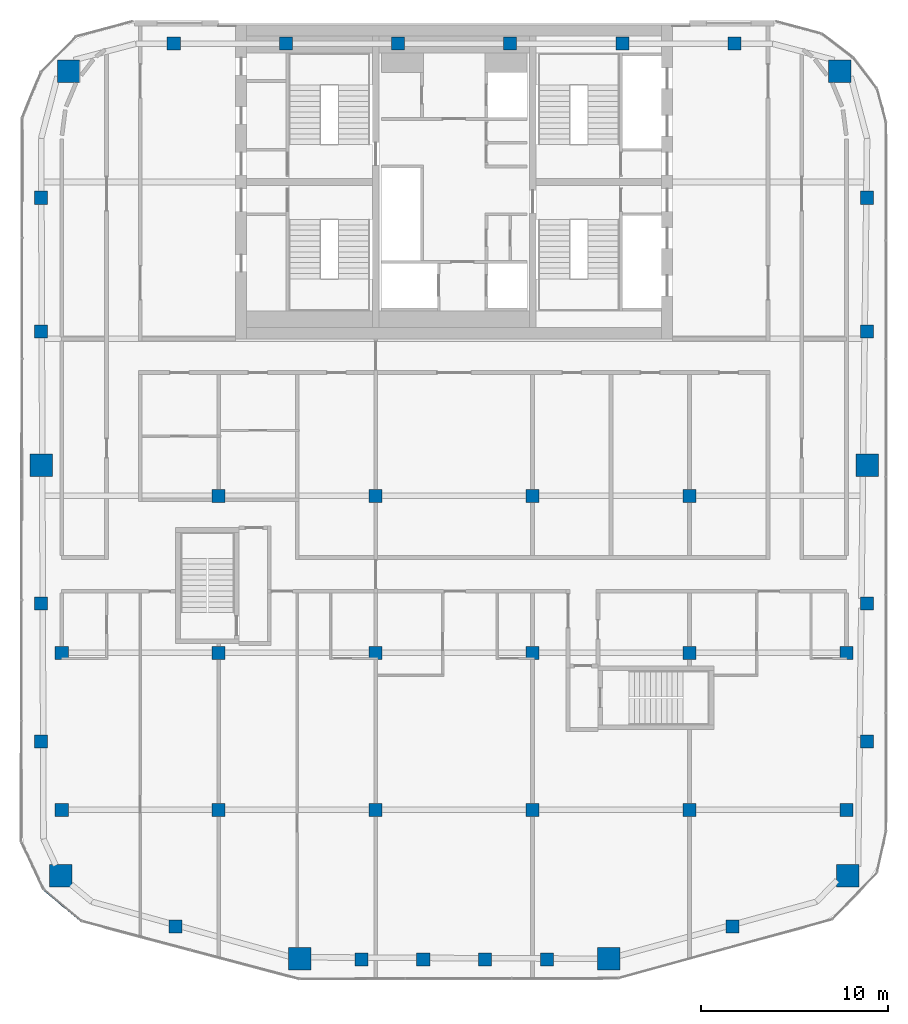
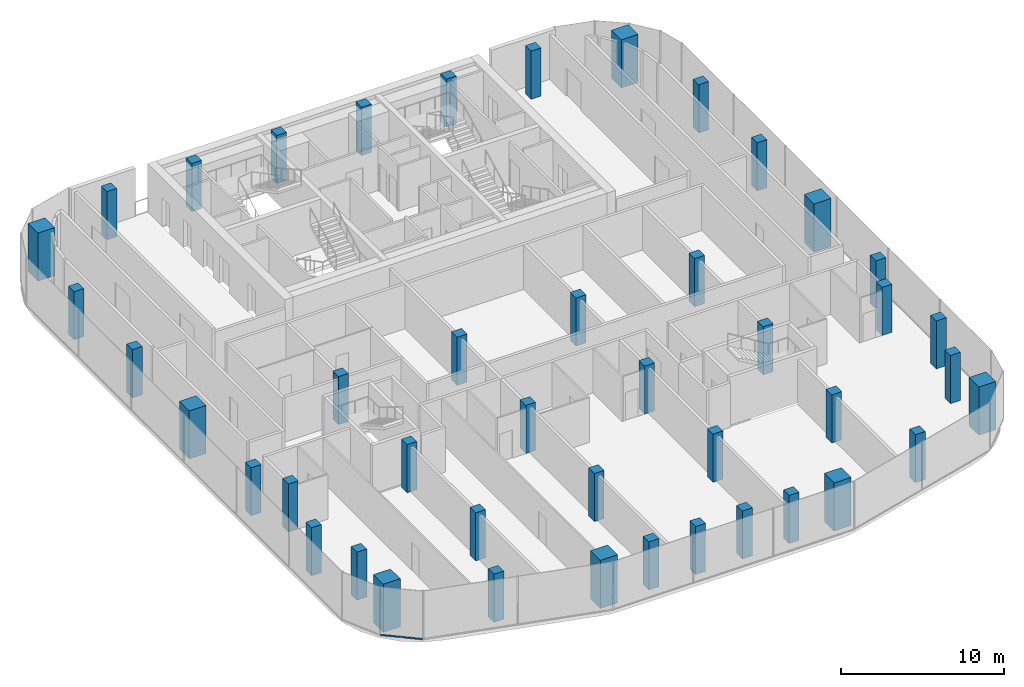
# One storey, part 1 of 19: 44 columns, 1 member, 1 element without a shape of its own.
"""IFC4 building model written with IfcOpenShell, lengths in metres."""

from ifc_helpers import new_model, si_unit, direction, frame, origin, origin_2d, place, context, subcontext, project, spatial, rectangle, extrude, material, layer, layer_set, material_profile, profile_set, type_object, element, aggregate, save


model = new_model("IFC4")

# Units and contexts
model_context = context("Model", 3, precision=1e-05, world=origin(), true_north=direction((0.0, 1.0)))
body_context = subcontext(model_context, "Body", "Model", "MODEL_VIEW")
ifc_project = project(units=[si_unit("LENGTHUNIT", "METRE"), si_unit("AREAUNIT", "SQUARE_METRE"), si_unit("VOLUMEUNIT", "CUBIC_METRE"), si_unit("PLANEANGLEUNIT", "RADIAN"), si_unit("MASSUNIT", "GRAM", prefix="KILO")], contexts=[model_context])

# Site, building, storey
site_placement = place(None, origin())
site = spatial("IfcSite", under=ifc_project, at=site_placement, CompositionType="ELEMENT")
building_placement = place(site_placement, origin())
building = spatial("IfcBuilding", under=site, at=building_placement, Name="Marenta Gate Hotel Tower", CompositionType="ELEMENT")
storey_placement = place(building_placement, frame((0.0, 0.0, 274.10009765625)))
storey = spatial("IfcBuildingStorey", under=building, at=storey_placement, Name="L63", CompositionType="ELEMENT", Elevation=274.10009765625)

# Columns
ifc_material_1 = material(Name="Concrete C50", Category="concrete")
ifc_material_profile_1 = material_profile(ifc_material_1, rectangle(XDim=0.699951171875, YDim=0.699951171875, at=origin_2d()), Name="700 x 700")
ifc_profile_set_1 = profile_set([ifc_material_profile_1], Name="Concrete C50")
column_type_1 = type_object("IfcColumnType", Name="Edge column 700 x 700 C50", PredefinedType="COLUMN", material=ifc_profile_set_1)
for number, where, z_axis, x_axis, name in (
    (1, (-22.10009765625, -21.552001953125, 0.0), (0.0, 0.0, 1.0), (1.0, 0.0, 0.0), "L63-EC-SW-W-1"),
    (2, (-22.10009765625, -14.15087890625, 0.0), (0.0, 0.0, 1.0), (1.0, 0.0, 0.0), "L63-EC-SW-W-2"),
    (3, (-22.10009765625, 0.4033203125, 0.0), (0.0, 0.0, 1.0), (1.0, 0.0, 0.0), "L63-EC-W-NW-1"),
    (4, (-22.10009765625, 7.556396484375, 0.0), (0.0, 0.0, 1.0), (1.0, 0.0, 0.0), "L63-EC-W-NW-2"),
    (5, (-15.0068359375, 15.800048828125, 0.0), (0.0, 0.0, 1.0), (1.0, 0.0, 0.0), "L63-EC-NW-NE-1"),
    (6, (-9.004150390625, 15.800048828125, 0.0), (0.0, 0.0, 1.0), (1.0, 0.0, 0.0), "L63-EC-NW-NE-2"),
    (7, (-3.00146484375, 15.800048828125, 0.0), (0.0, 0.0, 1.0), (1.0, 0.0, 0.0), "L63-EC-NW-NE-3"),
    (8, (3.00146484375, 15.800048828125, 0.0), (0.0, 0.0, 1.0), (1.0, 0.0, 0.0), "L63-EC-NW-NE-4"),
    (9, (9.004150390625, 15.800048828125, 0.0), (0.0, 0.0, 1.0), (1.0, 0.0, 0.0), "L63-EC-NW-NE-5"),
    (10, (15.0068359375, 15.800048828125, 0.0), (0.0, 0.0, 1.0), (1.0, 0.0, 0.0), "L63-EC-NW-NE-6"),
    (11, (22.10009765625, 7.556396484375, 0.0), (0.0, 0.0, 1.0), (1.0, 0.0, 0.0), "L63-EC-NE-E-1"),
    (12, (22.10009765625, 0.4033203125, 0.0), (0.0, 0.0, 1.0), (1.0, 0.0, 0.0), "L63-EC-NE-E-2"),
    (13, (22.10009765625, -14.15087890625, 0.0), (0.0, 0.0, 1.0), (1.0, 0.0, 0.0), "L63-EC-E-SE-1"),
    (14, (22.10009765625, -21.552001953125, 0.0), (0.0, 0.0, 1.0), (1.0, 0.0, 0.0), "L63-EC-E-SE-2"),
    (15, (14.90673828125, -31.439208984375, 0.0), (0.0, 0.0, 1.0), (1.0, 0.0, 0.0), "L63-EC-SE-SKE-1"),
    (16, (4.960205078125, -33.199951171875, 0.0), (0.0, 0.0, 1.0), (1.0, 0.0, 0.0), "L63-EC-SKE-SKW-1"),
    (17, (1.6533203125, -33.199951171875, 0.0), (0.0, 0.0, 1.0), (1.0, 0.0, 0.0), "L63-EC-SKE-SKW-2"),
    (18, (-1.6533203125, -33.199951171875, 0.0), (0.0, 0.0, 1.0), (1.0, 0.0, 0.0), "L63-EC-SKE-SKW-3"),
    (19, (-4.960205078125, -33.199951171875, 0.0), (0.0, 0.0, 1.0), (1.0, 0.0, 0.0), "L63-EC-SKE-SKW-4"),
    (20, (-14.90673828125, -31.439208984375, 0.0), (0.0, 0.0, 1.0), (1.0, 0.0, 0.0), "L63-EC-SKW-SW-1"),
):
    element("IfcColumn", number, at=place(storey_placement, frame(where, z_axis=z_axis, x_axis=x_axis)), inside=storey, type_object=column_type_1, Name=name, PredefinedType="COLUMN", context=body_context, shape_type="SweptSolid", body=[
        extrude(rectangle(XDim=0.699951171875, YDim=0.699951171875, at=origin_2d()), origin(), (0.0, 0.0, 1.0), 3.599853515625),
    ])
ifc_material_2 = material(Name="Concrete C50", Category="concrete")
ifc_material_profile_2 = material_profile(ifc_material_2, rectangle(XDim=0.699951171875, YDim=0.699951171875, at=origin_2d()), Name="700 x 700")
ifc_profile_set_2 = profile_set([ifc_material_profile_2], Name="Concrete C50")
column_type_2 = type_object("IfcColumnType", Name="Interior column 700 x 700 C50", PredefinedType="COLUMN", material=ifc_profile_set_2)
for number, where, z_axis, x_axis, name in (
    (21, (-21.0, -25.199951171875, 0.0), (0.0, 0.0, 1.0), (1.0, 0.0, 0.0), "L63-IC-4C"),
    (22, (-21.0, -16.800048828125, 0.0), (0.0, 0.0, 1.0), (1.0, 0.0, 0.0), "L63-IC-4D"),
    (23, (-12.60009765625, -25.199951171875, 0.0), (0.0, 0.0, 1.0), (1.0, 0.0, 0.0), "L63-IC-5C"),
    (24, (-12.60009765625, -16.800048828125, 0.0), (0.0, 0.0, 1.0), (1.0, 0.0, 0.0), "L63-IC-5D"),
    (25, (-12.60009765625, -8.39990234375, 0.0), (0.0, 0.0, 1.0), (1.0, 0.0, 0.0), "L63-IC-5E"),
    (26, (-4.199951171875, -25.199951171875, 0.0), (0.0, 0.0, 1.0), (1.0, 0.0, 0.0), "L63-IC-6C"),
    (27, (-4.199951171875, -16.800048828125, 0.0), (0.0, 0.0, 1.0), (1.0, 0.0, 0.0), "L63-IC-6D"),
    (28, (-4.199951171875, -8.39990234375, 0.0), (0.0, 0.0, 1.0), (1.0, 0.0, 0.0), "L63-IC-6E"),
    (29, (4.199951171875, -25.199951171875, 0.0), (0.0, 0.0, 1.0), (1.0, 0.0, 0.0), "L63-IC-7C"),
    (30, (4.199951171875, -16.800048828125, 0.0), (0.0, 0.0, 1.0), (1.0, 0.0, 0.0), "L63-IC-7D"),
    (31, (4.199951171875, -8.39990234375, 0.0), (0.0, 0.0, 1.0), (1.0, 0.0, 0.0), "L63-IC-7E"),
    (32, (12.60009765625, -25.199951171875, 0.0), (0.0, 0.0, 1.0), (1.0, 0.0, 0.0), "L63-IC-8C"),
    (33, (12.60009765625, -16.800048828125, 0.0), (0.0, 0.0, 1.0), (1.0, 0.0, 0.0), "L63-IC-8D"),
    (34, (12.60009765625, -8.39990234375, 0.0), (0.0, 0.0, 1.0), (1.0, 0.0, 0.0), "L63-IC-8E"),
    (35, (21.0, -25.199951171875, 0.0), (0.0, 0.0, 1.0), (1.0, 0.0, 0.0), "L63-IC-9C"),
    (36, (21.0, -16.800048828125, 0.0), (0.0, 0.0, 1.0), (1.0, 0.0, 0.0), "L63-IC-9D"),
):
    element("IfcColumn", number, at=place(storey_placement, frame(where, z_axis=z_axis, x_axis=x_axis)), inside=storey, type_object=column_type_2, Name=name, PredefinedType="COLUMN", context=body_context, shape_type="SweptSolid", body=[
        extrude(rectangle(XDim=0.699951171875, YDim=0.699951171875, at=origin_2d()), origin(), (0.0, 0.0, 1.0), 3.599853515625),
    ])
ifc_material_3 = material(Name="Concrete C50", Category="concrete")
ifc_material_profile_3 = material_profile(ifc_material_3, rectangle(XDim=1.199951171875, YDim=1.199951171875, at=origin_2d()), Name="1200 x 1200")
ifc_profile_set_3 = profile_set([ifc_material_profile_3], Name="Concrete C50")
column_type_3 = type_object("IfcColumnType", Name="Mega column 1200 x 1200 C50", PredefinedType="COLUMN", material=ifc_profile_set_3)
for number, where, z_axis, x_axis, name in (
    (37, (-21.06298828125, -28.73291015625, 0.0), (0.0, 0.0, 1.0), (1.0, 0.0, 0.0), "L63-MC-SW"),
    (38, (-8.266357421875, -33.1748046875, 0.0), (0.0, 0.0, 1.0), (1.0, 0.0, 0.0), "L63-MC-SKW"),
    (39, (8.266357421875, -33.1748046875, 0.0), (0.0, 0.0, 1.0), (1.0, 0.0, 0.0), "L63-MC-SKE"),
    (40, (21.06298828125, -28.73291015625, 0.0), (0.0, 0.0, 1.0), (1.0, 0.0, 0.0), "L63-MC-SE"),
    (41, (22.10009765625, -6.75, 0.0), (0.0, 0.0, 1.0), (1.0, 0.0, 0.0), "L63-MC-E"),
    (42, (20.635498046875, 14.33544921875, 0.0), (0.0, 0.0, 1.0), (1.0, 0.0, 0.0), "L63-MC-NE"),
    (43, (-20.635498046875, 14.33544921875, 0.0), (0.0, 0.0, 1.0), (1.0, 0.0, 0.0), "L63-MC-NW"),
    (44, (-22.10009765625, -6.75, 0.0), (0.0, 0.0, 1.0), (1.0, 0.0, 0.0), "L63-MC-W"),
):
    element("IfcColumn", number, at=place(storey_placement, frame(where, z_axis=z_axis, x_axis=x_axis)), inside=storey, type_object=column_type_3, Name=name, PredefinedType="COLUMN", context=body_context, shape_type="SweptSolid", body=[
        extrude(rectangle(XDim=1.199951171875, YDim=1.199951171875, at=origin_2d()), origin(), (0.0, 0.0, 1.0), 3.599853515625),
    ])

# Curtain wall, member
ifc_material_4 = material(Name="Tinted insulated glass in bronze anodised frame", Category="glass")
ifc_layer = layer(ifc_material_4, 0.1201171875)
ifc_layer_set = layer_set([ifc_layer], Name="Tinted insulated glass in bronze anodised frame")
curtain_wall_type = type_object("IfcCurtainWallType", Name="Tower unitised curtain wall CW1", PredefinedType="NOTDEFINED", material=ifc_layer_set)
curtain_wall_placement = place(storey_placement, origin())
curtain_wall = element("IfcCurtainWall", 45, at=curtain_wall_placement, inside=storey, type_object=curtain_wall_type, Name="CW1 run G05", PredefinedType="NOTDEFINED")
ifc_material_5 = material(Name="Bronze anodised aluminium", Category="aluminium")
ifc_material_profile_4 = material_profile(ifc_material_5, rectangle(XDim=0.1201171875, YDim=0.06005859375, at=origin_2d()), Name="Transom CW1 60x120 bronze anodised aluminium")
ifc_profile_set_4 = profile_set([ifc_material_profile_4], Name="Bronze anodised aluminium")
member_type = type_object("IfcMemberType", Name="Transom CW1 60x120 bronze anodised aluminium", PredefinedType="USERDEFINED", material=ifc_profile_set_4)
member_placement = place(storey_placement, frame((-21.936767578125, -29.479248046875, 0.02978515625), z_axis=(0.767100312603, -0.641527170433, 0.0), x_axis=(0.641527170433, 0.767100312603, 0.0)))
member = element("IfcMember", 46, at=member_placement, type_object=member_type, Name="CW1 transom 1.1", ObjectType="TRANSOM", PredefinedType="USERDEFINED", context=body_context, shape_type="SweptSolid", body=[
    extrude(rectangle(XDim=0.1201171875, YDim=0.06005859375, at=origin_2d()), origin(), (0.0, 0.0, 1.0), 2.609130859375),
])
aggregate(curtain_wall, [member])

save(model, "model.ifc")
